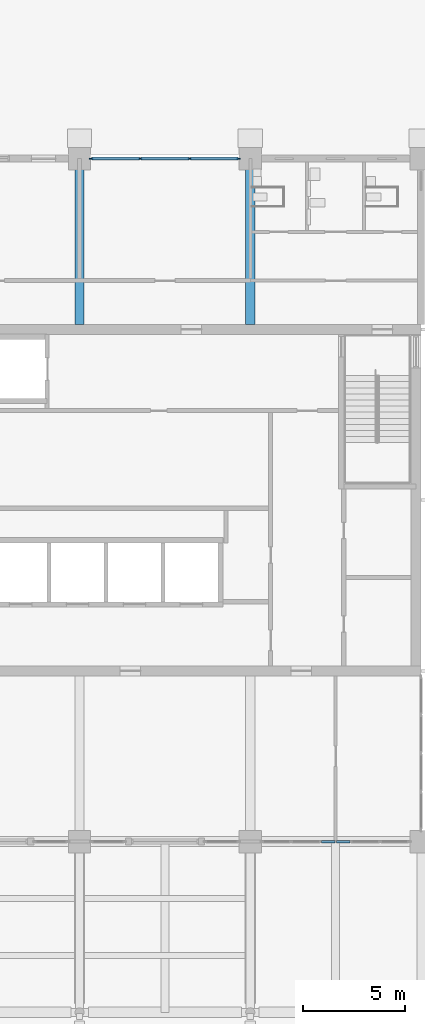
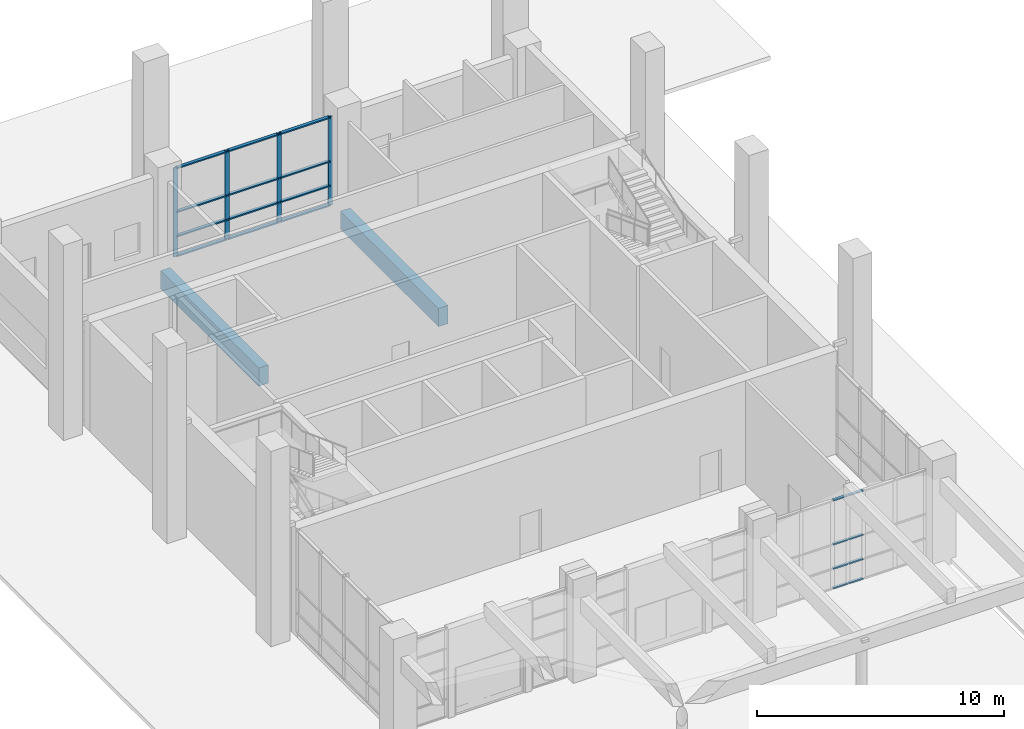
# One storey, part 10 of 74: 24 members, 2 beams, 2 elements without a shape of their own.
"""IFC4 building model written with IfcOpenShell, lengths in metres."""

from ifc_helpers import new_model, si_unit, direction, frame, origin, origin_2d, place, context, subcontext, project, spatial, rectangle, extrude, material, layer, layer_set, material_profile, profile_set, type_object, element, aggregate, save


model = new_model("IFC4")

# Units and contexts
model_context = context("Model", 3, precision=1e-05, world=origin(), true_north=direction((0.0, 1.0)))
body_context = subcontext(model_context, "Body", "Model", "MODEL_VIEW")
ifc_project = project(units=[si_unit("LENGTHUNIT", "METRE"), si_unit("AREAUNIT", "SQUARE_METRE"), si_unit("VOLUMEUNIT", "CUBIC_METRE"), si_unit("PLANEANGLEUNIT", "RADIAN"), si_unit("MASSUNIT", "GRAM", prefix="KILO")], contexts=[model_context])

# Site, building, storey
site_placement = place(None, origin())
site = spatial("IfcSite", under=ifc_project, at=site_placement, CompositionType="ELEMENT")
building_placement = place(site_placement, origin())
building = spatial("IfcBuilding", under=site, at=building_placement, Name="Rulbaag Community and Learning Centre", CompositionType="ELEMENT")
storey_placement = place(building_placement, origin())
storey = spatial("IfcBuildingStorey", under=building, at=storey_placement, Name="L00", CompositionType="ELEMENT", Elevation=0.0)

# Beams
ifc_material_1 = material(Name="Concrete M40", Category="concrete")
ifc_material_profile_1 = material_profile(ifc_material_1, rectangle(XDim=0.449951171875, YDim=0.89990234375, at=origin_2d()), Name="RB450x900")
ifc_profile_set_1 = profile_set([ifc_material_profile_1], Name="Concrete M40")
beam_type = type_object("IfcBeamType", Name="B10 Ground floor beam 450x900 Concrete M40", PredefinedType="BEAM", material=ifc_profile_set_1)
for number, where, z_axis, x_axis, name in (
    (1, (151.199951171875, 109.449951171875, -0.75), (0.0, 1.0, 0.0), (-1.0, 0.0, 0.0), "BM-L00-19N-19O"),
    (2, (159.60009765625, 109.449951171875, -0.75), (0.0, 1.0, 0.0), (-1.0, 0.0, 0.0), "BM-L00-20N-20O"),
):
    element("IfcBeam", number, at=place(storey_placement, frame(where, z_axis=z_axis, x_axis=x_axis)), inside=storey, type_object=beam_type, Name=name, PredefinedType="BEAM", context=body_context, shape_type="SweptSolid", body=[
        extrude(rectangle(XDim=0.449951171875, YDim=0.89990234375, at=origin_2d()), origin(), (0.0, 0.0, 1.0), 7.949951171875),
    ])

# Curtain wall, members
ifc_material_2 = material(Name="Aluminium", Category="aluminium")
ifc_layer_1 = layer(ifc_material_2, 0.14990234375)
ifc_layer_set_1 = layer_set([ifc_layer_1], Name="CW-S")
curtain_wall_type_1 = type_object("IfcCurtainWallType", Name="CW-S", PredefinedType="USERDEFINED", material=ifc_layer_set_1)
curtain_wall_1_placement = place(storey_placement, origin())
curtain_wall_1 = element("IfcCurtainWall", 3, at=curtain_wall_1_placement, inside=storey, type_object=curtain_wall_type_1, Name="GS-L00-05", ObjectType="UNITISED CURTAIN WALL", PredefinedType="USERDEFINED")
ifc_material_3 = material(Name="Aluminium transom", Category="aluminium")
ifc_material_profile_2 = material_profile(ifc_material_3, rectangle(XDim=0.125, YDim=0.06005859375, at=origin_2d()), Name="AL 60x125 T")
ifc_profile_set_2 = profile_set([ifc_material_profile_2], Name="Aluminium transom")
member_type_1 = type_object("IfcMemberType", Name="CW-S-TRN", PredefinedType="USERDEFINED", material=ifc_profile_set_2)
member_1_placement = place(storey_placement, frame((163.10009765625, 84.0, 0.030029296875), z_axis=(1.0, 0.0, 0.0), x_axis=(0.0, 1.0, 0.0)))
member_1 = element("IfcMember", 4, at=member_1_placement, type_object=member_type_1, Name="GS transom 3.1", ObjectType="TRANSOM", PredefinedType="USERDEFINED", context=body_context, shape_type="SweptSolid", body=[
    extrude(rectangle(XDim=0.125, YDim=0.06005859375, at=origin_2d()), origin(), (0.0, 0.0, 1.0), 0.669921875),
])
member_2_placement = place(storey_placement, frame((163.10009765625, 84.0, 1.0), z_axis=(1.0, 0.0, 0.0), x_axis=(0.0, 1.0, 0.0)))
member_2 = element("IfcMember", 5, at=member_2_placement, type_object=member_type_1, Name="GS transom 3.2", ObjectType="TRANSOM", PredefinedType="USERDEFINED", context=body_context, shape_type="SweptSolid", body=[
    extrude(rectangle(XDim=0.125, YDim=0.06005859375, at=origin_2d()), origin(), (0.0, 0.0, 1.0), 0.669921875),
])
member_3_placement = place(storey_placement, frame((163.10009765625, 84.0, 2.199951171875), z_axis=(1.0, 0.0, 0.0), x_axis=(0.0, 1.0, 0.0)))
member_3 = element("IfcMember", 6, at=member_3_placement, type_object=member_type_1, Name="GS transom 3.3", ObjectType="TRANSOM", PredefinedType="USERDEFINED", context=body_context, shape_type="SweptSolid", body=[
    extrude(rectangle(XDim=0.125, YDim=0.06005859375, at=origin_2d()), origin(), (0.0, 0.0, 1.0), 0.669921875),
])
member_4_placement = place(storey_placement, frame((163.10009765625, 84.0, 4.3701171875), z_axis=(1.0, 0.0, 0.0), x_axis=(0.0, 1.0, 0.0)))
member_4 = element("IfcMember", 7, at=member_4_placement, type_object=member_type_1, Name="GS transom 3.4", ObjectType="TRANSOM", PredefinedType="USERDEFINED", context=body_context, shape_type="SweptSolid", body=[
    extrude(rectangle(XDim=0.125, YDim=0.06005859375, at=origin_2d()), origin(), (0.0, 0.0, 1.0), 0.669921875),
])
member_5_placement = place(storey_placement, frame((163.830078125, 84.0, 0.030029296875), z_axis=(1.0, 0.0, 0.0), x_axis=(0.0, 1.0, 0.0)))
member_5 = element("IfcMember", 8, at=member_5_placement, type_object=member_type_1, Name="GS transom 4.1", ObjectType="TRANSOM", PredefinedType="USERDEFINED", context=body_context, shape_type="SweptSolid", body=[
    extrude(rectangle(XDim=0.125, YDim=0.06005859375, at=origin_2d()), origin(), (0.0, 0.0, 1.0), 0.669921875),
])
member_6_placement = place(storey_placement, frame((163.830078125, 84.0, 1.0), z_axis=(1.0, 0.0, 0.0), x_axis=(0.0, 1.0, 0.0)))
member_6 = element("IfcMember", 9, at=member_6_placement, type_object=member_type_1, Name="GS transom 4.2", ObjectType="TRANSOM", PredefinedType="USERDEFINED", context=body_context, shape_type="SweptSolid", body=[
    extrude(rectangle(XDim=0.125, YDim=0.06005859375, at=origin_2d()), origin(), (0.0, 0.0, 1.0), 0.669921875),
])
member_7_placement = place(storey_placement, frame((163.830078125, 84.0, 2.199951171875), z_axis=(1.0, 0.0, 0.0), x_axis=(0.0, 1.0, 0.0)))
member_7 = element("IfcMember", 10, at=member_7_placement, type_object=member_type_1, Name="GS transom 4.3", ObjectType="TRANSOM", PredefinedType="USERDEFINED", context=body_context, shape_type="SweptSolid", body=[
    extrude(rectangle(XDim=0.125, YDim=0.06005859375, at=origin_2d()), origin(), (0.0, 0.0, 1.0), 0.669921875),
])
member_8_placement = place(storey_placement, frame((163.830078125, 84.0, 4.3701171875), z_axis=(1.0, 0.0, 0.0), x_axis=(0.0, 1.0, 0.0)))
member_8 = element("IfcMember", 11, at=member_8_placement, type_object=member_type_1, Name="GS transom 4.4", ObjectType="TRANSOM", PredefinedType="USERDEFINED", context=body_context, shape_type="SweptSolid", body=[
    extrude(rectangle(XDim=0.125, YDim=0.06005859375, at=origin_2d()), origin(), (0.0, 0.0, 1.0), 0.669921875),
])
aggregate(curtain_wall_1, [member_1, member_2, member_3, member_4, member_5, member_6, member_7, member_8])

ifc_layer_2 = layer(ifc_material_2, 0.14990234375)
ifc_layer_set_2 = layer_set([ifc_layer_2], Name="CW-T")
curtain_wall_type_2 = type_object("IfcCurtainWallType", Name="CW-T", PredefinedType="USERDEFINED", material=ifc_layer_set_2)
curtain_wall_2_placement = place(storey_placement, origin())
curtain_wall_2 = element("IfcCurtainWall", 12, at=curtain_wall_2_placement, inside=storey, type_object=curtain_wall_type_2, Name="GT-L00-01", ObjectType="UNITISED CURTAIN WALL", PredefinedType="USERDEFINED")
ifc_material_4 = material(Name="Aluminium mullion", Category="aluminium")
ifc_material_profile_3 = material_profile(ifc_material_4, rectangle(XDim=0.06494140625, YDim=0.199951171875, at=origin_2d()), Name="AL 65x200")
ifc_profile_set_3 = profile_set([ifc_material_profile_3], Name="Aluminium mullion")
member_type_2 = type_object("IfcMemberType", Name="CW-T-MUL", PredefinedType="MULLION", material=ifc_profile_set_3)
member_9_placement = place(storey_placement, frame((151.782470703125, 117.60009765625, 0.0), z_axis=(0.0, 0.0, 1.0), x_axis=(0.0, 1.0, 0.0)))
member_9 = element("IfcMember", 13, at=member_9_placement, type_object=member_type_2, Name="GT mullion 1", PredefinedType="MULLION", context=body_context, shape_type="SweptSolid", body=[
    extrude(rectangle(XDim=0.06494140625, YDim=0.199951171875, at=origin_2d()), origin(), (0.0, 0.0, 1.0), 4.39990234375),
])
member_10_placement = place(storey_placement, frame((154.183349609375, 117.60009765625, 0.0), z_axis=(0.0, 0.0, 1.0), x_axis=(0.0, 1.0, 0.0)))
member_10 = element("IfcMember", 14, at=member_10_placement, type_object=member_type_2, Name="GT mullion 2", PredefinedType="MULLION", context=body_context, shape_type="SweptSolid", body=[
    extrude(rectangle(XDim=0.06494140625, YDim=0.199951171875, at=origin_2d()), origin(), (0.0, 0.0, 1.0), 4.39990234375),
])
member_11_placement = place(storey_placement, frame((156.61669921875, 117.60009765625, 0.0), z_axis=(0.0, 0.0, 1.0), x_axis=(0.0, 1.0, 0.0)))
member_11 = element("IfcMember", 15, at=member_11_placement, type_object=member_type_2, Name="GT mullion 3", PredefinedType="MULLION", context=body_context, shape_type="SweptSolid", body=[
    extrude(rectangle(XDim=0.06494140625, YDim=0.199951171875, at=origin_2d()), origin(), (0.0, 0.0, 1.0), 4.39990234375),
])
member_12_placement = place(storey_placement, frame((159.017578125, 117.60009765625, 0.0), z_axis=(0.0, 0.0, 1.0), x_axis=(0.0, 1.0, 0.0)))
member_12 = element("IfcMember", 16, at=member_12_placement, type_object=member_type_2, Name="GT mullion 4", PredefinedType="MULLION", context=body_context, shape_type="SweptSolid", body=[
    extrude(rectangle(XDim=0.06494140625, YDim=0.199951171875, at=origin_2d()), origin(), (0.0, 0.0, 1.0), 4.39990234375),
])
ifc_material_profile_4 = material_profile(ifc_material_3, rectangle(XDim=0.14990234375, YDim=0.06494140625, at=origin_2d()), Name="AL 65x150 T")
ifc_profile_set_4 = profile_set([ifc_material_profile_4], Name="Aluminium transom")
member_type_3 = type_object("IfcMemberType", Name="CW-T-TRN", PredefinedType="USERDEFINED", material=ifc_profile_set_4)
member_13_placement = place(storey_placement, frame((151.81494140625, 117.60009765625, 0.032470703125), z_axis=(1.0, 0.0, 0.0), x_axis=(0.0, 1.0, 0.0)))
member_13 = element("IfcMember", 17, at=member_13_placement, type_object=member_type_3, Name="GT transom 1.1", ObjectType="TRANSOM", PredefinedType="USERDEFINED", context=body_context, shape_type="SweptSolid", body=[
    extrude(rectangle(XDim=0.14990234375, YDim=0.06494140625, at=origin_2d()), origin(), (0.0, 0.0, 1.0), 2.3359375),
])
member_14_placement = place(storey_placement, frame((151.81494140625, 117.60009765625, 1.0), z_axis=(1.0, 0.0, 0.0), x_axis=(0.0, 1.0, 0.0)))
member_14 = element("IfcMember", 18, at=member_14_placement, type_object=member_type_3, Name="GT transom 1.2", ObjectType="TRANSOM", PredefinedType="USERDEFINED", context=body_context, shape_type="SweptSolid", body=[
    extrude(rectangle(XDim=0.14990234375, YDim=0.06494140625, at=origin_2d()), origin(), (0.0, 0.0, 1.0), 2.3359375),
])
member_15_placement = place(storey_placement, frame((151.81494140625, 117.60009765625, 2.199951171875), z_axis=(1.0, 0.0, 0.0), x_axis=(0.0, 1.0, 0.0)))
member_15 = element("IfcMember", 19, at=member_15_placement, type_object=member_type_3, Name="GT transom 1.3", ObjectType="TRANSOM", PredefinedType="USERDEFINED", context=body_context, shape_type="SweptSolid", body=[
    extrude(rectangle(XDim=0.14990234375, YDim=0.06494140625, at=origin_2d()), origin(), (0.0, 0.0, 1.0), 2.3359375),
])
member_16_placement = place(storey_placement, frame((151.81494140625, 117.60009765625, 4.367431640625), z_axis=(1.0, 0.0, 0.0), x_axis=(0.0, 1.0, 0.0)))
member_16 = element("IfcMember", 20, at=member_16_placement, type_object=member_type_3, Name="GT transom 1.4", ObjectType="TRANSOM", PredefinedType="USERDEFINED", context=body_context, shape_type="SweptSolid", body=[
    extrude(rectangle(XDim=0.14990234375, YDim=0.06494140625, at=origin_2d()), origin(), (0.0, 0.0, 1.0), 2.3359375),
])
member_17_placement = place(storey_placement, frame((154.2158203125, 117.60009765625, 0.032470703125), z_axis=(1.0, 0.0, 0.0), x_axis=(0.0, 1.0, 0.0)))
member_17 = element("IfcMember", 21, at=member_17_placement, type_object=member_type_3, Name="GT transom 2.1", ObjectType="TRANSOM", PredefinedType="USERDEFINED", context=body_context, shape_type="SweptSolid", body=[
    extrude(rectangle(XDim=0.14990234375, YDim=0.06494140625, at=origin_2d()), origin(), (0.0, 0.0, 1.0), 2.368408203125),
])
member_18_placement = place(storey_placement, frame((154.2158203125, 117.60009765625, 1.0), z_axis=(1.0, 0.0, 0.0), x_axis=(0.0, 1.0, 0.0)))
member_18 = element("IfcMember", 22, at=member_18_placement, type_object=member_type_3, Name="GT transom 2.2", ObjectType="TRANSOM", PredefinedType="USERDEFINED", context=body_context, shape_type="SweptSolid", body=[
    extrude(rectangle(XDim=0.14990234375, YDim=0.06494140625, at=origin_2d()), origin(), (0.0, 0.0, 1.0), 2.368408203125),
])
member_19_placement = place(storey_placement, frame((154.2158203125, 117.60009765625, 2.199951171875), z_axis=(1.0, 0.0, 0.0), x_axis=(0.0, 1.0, 0.0)))
member_19 = element("IfcMember", 23, at=member_19_placement, type_object=member_type_3, Name="GT transom 2.3", ObjectType="TRANSOM", PredefinedType="USERDEFINED", context=body_context, shape_type="SweptSolid", body=[
    extrude(rectangle(XDim=0.14990234375, YDim=0.06494140625, at=origin_2d()), origin(), (0.0, 0.0, 1.0), 2.368408203125),
])
member_20_placement = place(storey_placement, frame((154.2158203125, 117.60009765625, 4.367431640625), z_axis=(1.0, 0.0, 0.0), x_axis=(0.0, 1.0, 0.0)))
member_20 = element("IfcMember", 24, at=member_20_placement, type_object=member_type_3, Name="GT transom 2.4", ObjectType="TRANSOM", PredefinedType="USERDEFINED", context=body_context, shape_type="SweptSolid", body=[
    extrude(rectangle(XDim=0.14990234375, YDim=0.06494140625, at=origin_2d()), origin(), (0.0, 0.0, 1.0), 2.368408203125),
])
member_21_placement = place(storey_placement, frame((156.649169921875, 117.60009765625, 0.032470703125), z_axis=(1.0, 0.0, 0.0), x_axis=(0.0, 1.0, 0.0)))
member_21 = element("IfcMember", 25, at=member_21_placement, type_object=member_type_3, Name="GT transom 3.1", ObjectType="TRANSOM", PredefinedType="USERDEFINED", context=body_context, shape_type="SweptSolid", body=[
    extrude(rectangle(XDim=0.14990234375, YDim=0.06494140625, at=origin_2d()), origin(), (0.0, 0.0, 1.0), 2.3359375),
])
member_22_placement = place(storey_placement, frame((156.649169921875, 117.60009765625, 1.0), z_axis=(1.0, 0.0, 0.0), x_axis=(0.0, 1.0, 0.0)))
member_22 = element("IfcMember", 26, at=member_22_placement, type_object=member_type_3, Name="GT transom 3.2", ObjectType="TRANSOM", PredefinedType="USERDEFINED", context=body_context, shape_type="SweptSolid", body=[
    extrude(rectangle(XDim=0.14990234375, YDim=0.06494140625, at=origin_2d()), origin(), (0.0, 0.0, 1.0), 2.3359375),
])
member_23_placement = place(storey_placement, frame((156.649169921875, 117.60009765625, 2.199951171875), z_axis=(1.0, 0.0, 0.0), x_axis=(0.0, 1.0, 0.0)))
member_23 = element("IfcMember", 27, at=member_23_placement, type_object=member_type_3, Name="GT transom 3.3", ObjectType="TRANSOM", PredefinedType="USERDEFINED", context=body_context, shape_type="SweptSolid", body=[
    extrude(rectangle(XDim=0.14990234375, YDim=0.06494140625, at=origin_2d()), origin(), (0.0, 0.0, 1.0), 2.3359375),
])
member_24_placement = place(storey_placement, frame((156.649169921875, 117.60009765625, 4.367431640625), z_axis=(1.0, 0.0, 0.0), x_axis=(0.0, 1.0, 0.0)))
member_24 = element("IfcMember", 28, at=member_24_placement, type_object=member_type_3, Name="GT transom 3.4", ObjectType="TRANSOM", PredefinedType="USERDEFINED", context=body_context, shape_type="SweptSolid", body=[
    extrude(rectangle(XDim=0.14990234375, YDim=0.06494140625, at=origin_2d()), origin(), (0.0, 0.0, 1.0), 2.3359375),
])
aggregate(curtain_wall_2, [member_9, member_10, member_11, member_12, member_13, member_14, member_15, member_16, member_17, member_18, member_19, member_20, member_21, member_22, member_23, member_24])

save(model, "model.ifc")
